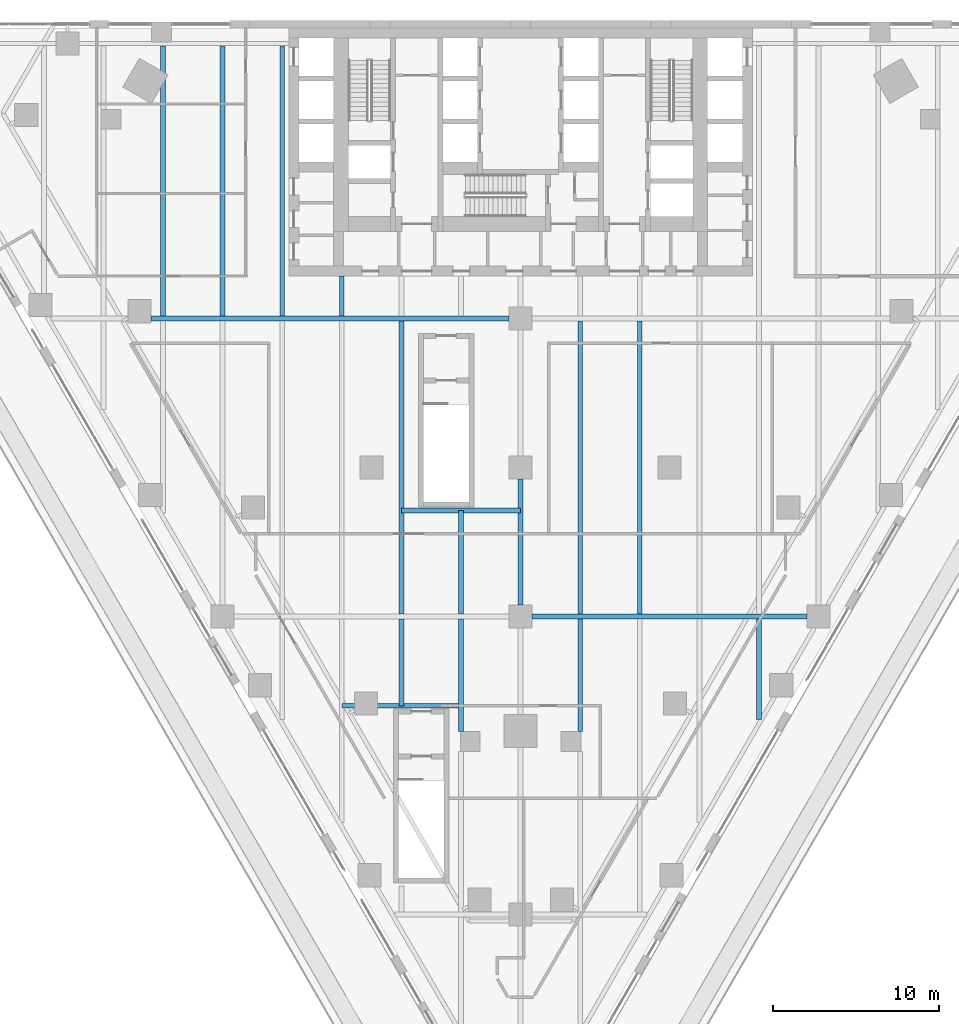
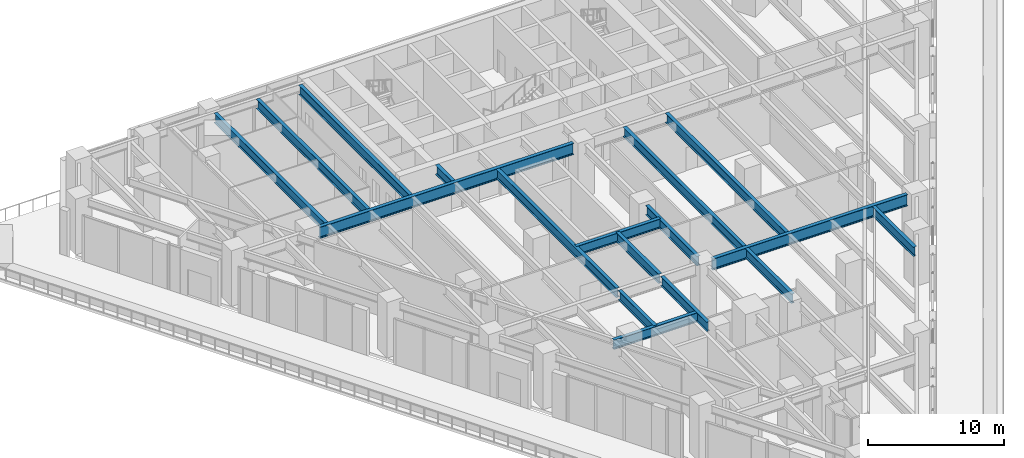
# One storey, part 7 of 31: 17 beams.
"""IFC4 building model written with IfcOpenShell, lengths in metres."""

from ifc_helpers import new_model, si_unit, direction, frame, origin, origin_2d, place, context, subcontext, project, spatial, i_section, extrude, material, material_profile, profile_set, type_object, element, save


model = new_model("IFC4")

# Units and contexts
model_context = context("Model", 3, precision=1e-05, world=origin(), true_north=direction((0.0, 1.0)))
body_context = subcontext(model_context, "Body", "Model", "MODEL_VIEW")
ifc_project = project(units=[si_unit("LENGTHUNIT", "METRE"), si_unit("AREAUNIT", "SQUARE_METRE"), si_unit("VOLUMEUNIT", "CUBIC_METRE"), si_unit("PLANEANGLEUNIT", "RADIAN"), si_unit("MASSUNIT", "GRAM", prefix="KILO")], contexts=[model_context])

# Site, building, storey
site_placement = place(None, origin())
site = spatial("IfcSite", under=ifc_project, at=site_placement, CompositionType="ELEMENT")
building_placement = place(site_placement, origin())
building = spatial("IfcBuilding", under=site, at=building_placement, Name="Aloe Facet Convention Tower", CompositionType="ELEMENT")
storey_placement = place(building_placement, frame((0.0, 0.0, 25.0)))
storey = spatial("IfcBuildingStorey", under=building, at=storey_placement, Name="L04", CompositionType="ELEMENT", Elevation=25.0)

# Beams
ifc_material_1 = material(Name="Steel S355", Category="steel")
ifc_material_profile_1 = material_profile(ifc_material_1, i_section(OverallWidth=0.305419921875, OverallDepth=1.02587890625, WebThickness=0.02001953125, FlangeThickness=0.031005859375, FilletRadius=0.030029296875, at=origin_2d()), Name="UB 1016x305x349")
ifc_profile_set_1 = profile_set([ifc_material_profile_1], Name="Steel S355")
beam_type_1 = type_object("IfcBeamType", Name="SF-B-UB1016x305x349", PredefinedType="BEAM", material=ifc_profile_set_1)
beam_1_placement = place(storey_placement, frame((57.68408203125, 117.0, 4.18701171875), z_axis=(1.0, 0.0, 0.0), x_axis=(0.0, 1.0, 0.0)))
element("IfcBeam", 1, at=beam_1_placement, inside=storey, type_object=beam_type_1, Name="Floor beam FB-L05-021", PredefinedType="BEAM", context=body_context, shape_type="SweptSolid", body=[
    extrude(i_section(OverallWidth=0.305419921875, OverallDepth=1.02587890625, WebThickness=0.02001953125, FlangeThickness=0.031005859375, FilletRadius=0.030029296875, at=origin_2d()), origin(), (0.0, 0.0, 1.0), 21.615966796875),
])
beam_2_placement = place(storey_placement, frame((80.699951171875, 99.0, 4.18701171875), z_axis=(1.0, 0.0, 0.0), x_axis=(0.0, 1.0, 0.0)))
element("IfcBeam", 2, at=beam_2_placement, inside=storey, type_object=beam_type_1, Name="Floor beam FB-L05-025", PredefinedType="BEAM", context=body_context, shape_type="SweptSolid", body=[
    extrude(i_section(OverallWidth=0.305419921875, OverallDepth=1.02587890625, WebThickness=0.02001953125, FlangeThickness=0.031005859375, FilletRadius=0.030029296875, at=origin_2d()), origin(), (0.0, 0.0, 1.0), 16.60009765625),
])
ifc_material_2 = material(Name="Steel S355", Category="steel")
ifc_material_profile_2 = material_profile(ifc_material_2, i_section(OverallWidth=0.293701171875, OverallDepth=0.850830078125, WebThickness=0.01611328125, FlangeThickness=0.02685546875, FilletRadius=0.017822265625, at=origin_2d()), Name="UB 838x292x226")
ifc_profile_set_2 = profile_set([ifc_material_profile_2], Name="Steel S355")
beam_type_2 = type_object("IfcBeamType", Name="SF-B-UB838x292x226", PredefinedType="BEAM", material=ifc_profile_set_2)
for number, where, z_axis, x_axis, name in (
    (3, (58.39990234375, 117.152587890625, 4.2744140625), (0.0, 1.0, 0.0), (-1.0, 0.0, 0.0), "Floor beam FB-L05-034"),
    (4, (62.0, 117.152587890625, 4.2744140625), (0.0, 1.0, 0.0), (-1.0, 0.0, 0.0), "Floor beam FB-L05-036"),
    (5, (65.60009765625, 117.152587890625, 4.2744140625), (0.0, 1.0, 0.0), (-1.0, 0.0, 0.0), "Floor beam FB-L05-039"),
):
    element("IfcBeam", number, at=place(storey_placement, frame(where, z_axis=z_axis, x_axis=x_axis)), inside=storey, type_object=beam_type_2, Name=name, PredefinedType="BEAM", context=body_context, shape_type="SweptSolid", body=[
        extrude(i_section(OverallWidth=0.293701171875, OverallDepth=0.850830078125, WebThickness=0.01611328125, FlangeThickness=0.02685546875, FilletRadius=0.017822265625, at=origin_2d()), origin(), (0.0, 0.0, 1.0), 16.31005859375),
    ])
beam_3_placement = place(storey_placement, frame((69.199951171875, 93.60009765625, 4.2744140625), z_axis=(1.0, 0.0, 0.0), x_axis=(0.0, 1.0, 0.0)))
element("IfcBeam", 6, at=beam_3_placement, inside=storey, type_object=beam_type_2, Name="Floor beam FB-L05-041", PredefinedType="BEAM", context=body_context, shape_type="SweptSolid", body=[
    extrude(i_section(OverallWidth=0.293701171875, OverallDepth=0.850830078125, WebThickness=0.01611328125, FlangeThickness=0.02685546875, FilletRadius=0.017822265625, at=origin_2d()), origin(), (0.0, 0.0, 1.0), 7.199951171875),
])
beam_4_placement = place(storey_placement, frame((69.199951171875, 117.152587890625, 4.2744140625), z_axis=(0.0, 1.0, 0.0), x_axis=(-1.0, 0.0, 0.0)))
element("IfcBeam", 7, at=beam_4_placement, inside=storey, type_object=beam_type_2, Name="Floor beam FB-L05-043", PredefinedType="BEAM", context=body_context, shape_type="SweptSolid", body=[
    extrude(i_section(OverallWidth=0.293701171875, OverallDepth=0.850830078125, WebThickness=0.01611328125, FlangeThickness=0.02685546875, FilletRadius=0.017822265625, at=origin_2d()), origin(), (0.0, 0.0, 1.0), 2.3974609375),
])
beam_5_placement = place(storey_placement, frame((72.800048828125, 93.60009765625, 4.2744140625), z_axis=(0.0, 1.0, 0.0), x_axis=(-1.0, 0.0, 0.0)))
element("IfcBeam", 8, at=beam_5_placement, inside=storey, type_object=beam_type_2, Name="Floor beam FB-L05-045", PredefinedType="BEAM", context=body_context, shape_type="SweptSolid", body=[
    extrude(i_section(OverallWidth=0.293701171875, OverallDepth=0.850830078125, WebThickness=0.01611328125, FlangeThickness=0.02685546875, FilletRadius=0.017822265625, at=origin_2d()), origin(), (0.0, 0.0, 1.0), 5.247314453125),
])
beam_6_placement = place(storey_placement, frame((72.800048828125, 99.152587890625, 4.2744140625), z_axis=(0.0, 1.0, 0.0), x_axis=(-1.0, 0.0, 0.0)))
element("IfcBeam", 9, at=beam_6_placement, inside=storey, type_object=beam_type_2, Name="Floor beam FB-L05-046", PredefinedType="BEAM", context=body_context, shape_type="SweptSolid", body=[
    extrude(i_section(OverallWidth=0.293701171875, OverallDepth=0.850830078125, WebThickness=0.01611328125, FlangeThickness=0.02685546875, FilletRadius=0.017822265625, at=origin_2d()), origin(), (0.0, 0.0, 1.0), 17.69482421875),
])
beam_7_placement = place(storey_placement, frame((72.800048828125, 105.39990234375, 4.2744140625), z_axis=(1.0, 0.0, 0.0), x_axis=(0.0, 1.0, 0.0)))
element("IfcBeam", 10, at=beam_7_placement, inside=storey, type_object=beam_type_2, Name="Floor beam FB-L05-047", PredefinedType="BEAM", context=body_context, shape_type="SweptSolid", body=[
    extrude(i_section(OverallWidth=0.293701171875, OverallDepth=0.850830078125, WebThickness=0.01611328125, FlangeThickness=0.02685546875, FilletRadius=0.017822265625, at=origin_2d()), origin(), (0.0, 0.0, 1.0), 7.199951171875),
])
beam_8_placement = place(storey_placement, frame((76.39990234375, 92.04248046875, 4.2744140625), z_axis=(0.0, 1.0, 0.0), x_axis=(-1.0, 0.0, 0.0)))
element("IfcBeam", 11, at=beam_8_placement, inside=storey, type_object=beam_type_2, Name="Floor beam FB-L05-051", PredefinedType="BEAM", context=body_context, shape_type="SweptSolid", body=[
    extrude(i_section(OverallWidth=0.293701171875, OverallDepth=0.850830078125, WebThickness=0.01611328125, FlangeThickness=0.02685546875, FilletRadius=0.017822265625, at=origin_2d()), origin(), (0.0, 0.0, 1.0), 6.804931640625),
])
beam_9_placement = place(storey_placement, frame((76.39990234375, 99.152587890625, 4.2744140625), z_axis=(0.0, 1.0, 0.0), x_axis=(-1.0, 0.0, 0.0)))
element("IfcBeam", 12, at=beam_9_placement, inside=storey, type_object=beam_type_2, Name="Floor beam FB-L05-052", PredefinedType="BEAM", context=body_context, shape_type="SweptSolid", body=[
    extrude(i_section(OverallWidth=0.293701171875, OverallDepth=0.850830078125, WebThickness=0.01611328125, FlangeThickness=0.02685546875, FilletRadius=0.017822265625, at=origin_2d()), origin(), (0.0, 0.0, 1.0), 6.247314453125),
])
beam_10_placement = place(storey_placement, frame((80.0, 99.699951171875, 4.2744140625), z_axis=(0.0, 1.0, 0.0), x_axis=(-1.0, 0.0, 0.0)))
element("IfcBeam", 13, at=beam_10_placement, inside=storey, type_object=beam_type_2, Name="Floor beam FB-L05-056", PredefinedType="BEAM", context=body_context, shape_type="SweptSolid", body=[
    extrude(i_section(OverallWidth=0.293701171875, OverallDepth=0.850830078125, WebThickness=0.01611328125, FlangeThickness=0.02685546875, FilletRadius=0.017822265625, at=origin_2d()), origin(), (0.0, 0.0, 1.0), 7.60009765625),
])
beam_11_placement = place(storey_placement, frame((83.60009765625, 92.04248046875, 4.2744140625), z_axis=(0.0, 1.0, 0.0), x_axis=(-1.0, 0.0, 0.0)))
element("IfcBeam", 14, at=beam_11_placement, inside=storey, type_object=beam_type_2, Name="Floor beam FB-L05-061", PredefinedType="BEAM", context=body_context, shape_type="SweptSolid", body=[
    extrude(i_section(OverallWidth=0.293701171875, OverallDepth=0.850830078125, WebThickness=0.01611328125, FlangeThickness=0.02685546875, FilletRadius=0.017822265625, at=origin_2d()), origin(), (0.0, 0.0, 1.0), 6.804931640625),
])
for number, where, z_axis, x_axis, name in (
    (15, (83.60009765625, 99.152587890625, 4.2744140625), (0.0, 1.0, 0.0), (-1.0, 0.0, 0.0), "Floor beam FB-L05-062"),
    (16, (87.199951171875, 99.152587890625, 4.2744140625), (0.0, 1.0, 0.0), (-1.0, 0.0, 0.0), "Floor beam FB-L05-065"),
):
    element("IfcBeam", number, at=place(storey_placement, frame(where, z_axis=z_axis, x_axis=x_axis)), inside=storey, type_object=beam_type_2, Name=name, PredefinedType="BEAM", context=body_context, shape_type="SweptSolid", body=[
        extrude(i_section(OverallWidth=0.293701171875, OverallDepth=0.850830078125, WebThickness=0.01611328125, FlangeThickness=0.02685546875, FilletRadius=0.017822265625, at=origin_2d()), origin(), (0.0, 0.0, 1.0), 17.69482421875),
    ])
beam_12_placement = place(storey_placement, frame((94.39990234375, 92.776611328125, 4.2744140625), z_axis=(0.0, 1.0, 0.0), x_axis=(-1.0, 0.0, 0.0)))
element("IfcBeam", 17, at=beam_12_placement, inside=storey, type_object=beam_type_2, Name="Floor beam FB-L05-070", PredefinedType="BEAM", context=body_context, shape_type="SweptSolid", body=[
    extrude(i_section(OverallWidth=0.293701171875, OverallDepth=0.850830078125, WebThickness=0.01611328125, FlangeThickness=0.02685546875, FilletRadius=0.017822265625, at=origin_2d()), origin(), (0.0, 0.0, 1.0), 6.07080078125),
])

save(model, "model.ifc")
